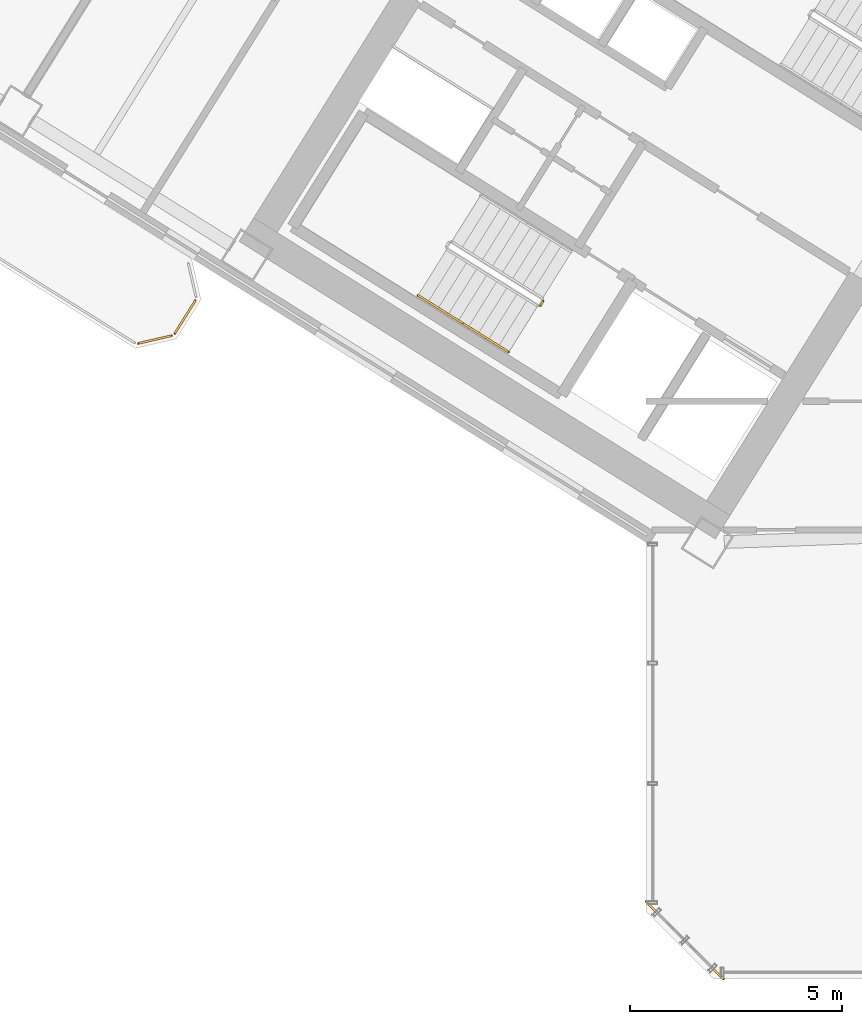
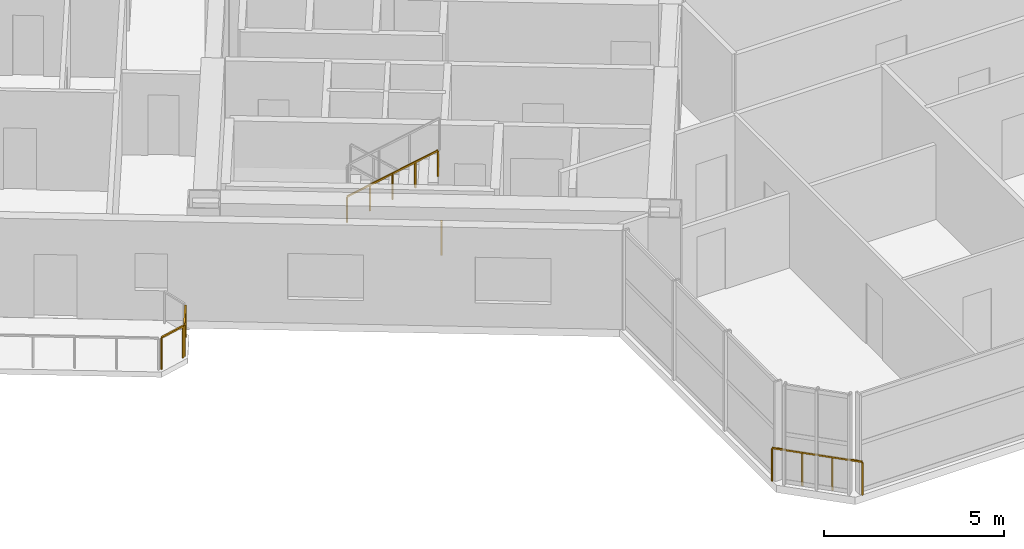
# One storey, part 17 of 21: 6 railings.
"""IFC4 building model written with IfcOpenShell, lengths in metres."""

from ifc_helpers import new_model, si_unit, direction, frame, origin, origin_2d, place, context, subcontext, project, spatial, rectangle, extrude, source, transform, mapped, material, type_object, element, save


model = new_model("IFC4")

# Units and contexts
model_context = context("Model", 3, precision=1e-05, world=origin(), true_north=direction((0.0, 1.0)))
body_context = subcontext(model_context, "Body", "Model", "MODEL_VIEW")
ifc_project = project(units=[si_unit("LENGTHUNIT", "METRE"), si_unit("AREAUNIT", "SQUARE_METRE"), si_unit("VOLUMEUNIT", "CUBIC_METRE"), si_unit("PLANEANGLEUNIT", "RADIAN"), si_unit("MASSUNIT", "GRAM", prefix="KILO")], contexts=[model_context])

# Site, building, storey
site_placement = place(None, origin())
site = spatial("IfcSite", under=ifc_project, at=site_placement, CompositionType="ELEMENT")
building_placement = place(site_placement, origin())
building = spatial("IfcBuilding", under=site, at=building_placement, Name="Tlacorven Tower", CompositionType="ELEMENT")
storey_placement = place(building_placement, frame((0.0, 0.0, 90.0)))
storey = spatial("IfcBuildingStorey", under=building, at=storey_placement, Name="L22", CompositionType="ELEMENT", Elevation=90.0)

# Railings
ifc_material = material(Name="Aluminium and painted steel balustrade", Category="steel")
railing_type_1 = type_object("IfcRailingType", Name="RL-BAL-1100", PredefinedType="BALUSTRADE", material=ifc_material)
shared_shape_1 = source(origin(), body_context, "Body", "SweptSolid", [
    extrude(rectangle(XDim=0.048095703125, YDim=0.048095703125, at=origin_2d()), frame((0.0, 0.0, 1.076171875), z_axis=(-0.52987865805, -0.848073468364, 0.0), x_axis=(0.848073468364, -0.52987865805, 0.0)), (0.0, 0.0, 1.0), 0.912353515625),
    extrude(rectangle(XDim=0.0419921875, YDim=0.0419921875, at=origin_2d()), origin(), (0.0, 0.0, 1.0), 1.052001953125),
    extrude(rectangle(XDim=0.0419921875, YDim=0.0419921875, at=origin_2d()), frame((-0.4833984375, -0.773681640625, 0.0)), (0.0, 0.0, 1.0), 1.052001953125),
])
railing_1_placement = place(storey_placement, frame((20.976318359375, 17.793701171875, 0.0)))
element("IfcRailing", 1, at=railing_1_placement, inside=storey, type_object=railing_type_1, Name="BAL-L22-W-OUT Guard Railing 2", PredefinedType="BALUSTRADE", context=body_context, shape_type="MappedRepresentation", body=[
    mapped(shared_shape_1, transform((0.0, 0.0, 0.0), scale=1.0)),
])
shared_shape_2 = source(origin(), body_context, "Body", "SweptSolid", [
    extrude(rectangle(XDim=0.048095703125, YDim=0.048095703125, at=origin_2d()), frame((0.0, 0.0, 1.076171875), z_axis=(-0.974345290916, -0.225058334816, 0.0), x_axis=(0.225058334816, -0.974345290916, 0.0)), (0.0, 0.0, 1.0), 0.80712890625),
    extrude(rectangle(XDim=0.0419921875, YDim=0.0419921875, at=origin_2d()), origin(), (0.0, 0.0, 1.0), 1.052001953125),
    extrude(rectangle(XDim=0.0419921875, YDim=0.0419921875, at=origin_2d()), frame((-0.786376953125, -0.181640625, 0.0)), (0.0, 0.0, 1.0), 1.052001953125),
])
railing_2_placement = place(storey_placement, frame((20.417724609375, 16.966552734375, 0.0)))
element("IfcRailing", 2, at=railing_2_placement, inside=storey, type_object=railing_type_1, Name="BAL-L22-W-OUT Guard Railing 3", PredefinedType="BALUSTRADE", context=body_context, shape_type="MappedRepresentation", body=[
    mapped(shared_shape_2, transform((0.0, 0.0, 0.0), scale=1.0)),
])
railing_type_2 = type_object("IfcRailingType", Name="RL-GRD-1150", PredefinedType="GUARDRAIL", material=ifc_material)
shared_shape_3 = source(origin(), body_context, "Body", "SweptSolid", [
    extrude(rectangle(XDim=0.048095703125, YDim=0.048095703125, at=origin_2d()), frame((0.0, 0.0, 1.1259765625), z_axis=(-0.707106781187, 0.707106781187, 0.0), x_axis=(-0.707106781187, -0.707106781187, 0.0)), (0.0, 0.0, 1.0), 2.590087890625),
    extrude(rectangle(XDim=0.0419921875, YDim=0.0419921875, at=origin_2d()), origin(), (0.0, 0.0, 1.0), 1.101806640625),
    extrude(rectangle(XDim=0.0419921875, YDim=0.0419921875, at=origin_2d()), frame((-0.610595703125, 0.610595703125, 0.0)), (0.0, 0.0, 1.0), 1.101806640625),
    extrude(rectangle(XDim=0.0419921875, YDim=0.0419921875, at=origin_2d()), frame((-1.220947265625, 1.220947265625, 0.0)), (0.0, 0.0, 1.0), 1.101806640625),
    extrude(rectangle(XDim=0.0419921875, YDim=0.0419921875, at=origin_2d()), frame((-1.83154296875, 1.83154296875, 0.0)), (0.0, 0.0, 1.0), 1.101806640625),
])
railing_3_placement = place(storey_placement, frame((33.428955078125, 1.79736328125, 0.0)))
element("IfcRailing", 3, at=railing_3_placement, inside=storey, type_object=railing_type_2, Name="L22 Knuckle Glazed Sill Guard 1", PredefinedType="GUARDRAIL", context=body_context, shape_type="MappedRepresentation", body=[
    mapped(shared_shape_3, transform((0.0, 0.0, 0.0), scale=1.0)),
])
railing_type_3 = type_object("IfcRailingType", Name="RL-GRD-1100", PredefinedType="GUARDRAIL", material=ifc_material)
shared_shape_4 = source(origin(), body_context, "Body", "SweptSolid", [
    extrude(rectangle(XDim=0.048095703125, YDim=0.048095703125, at=origin_2d()), frame((0.0, 0.0, 1.076171875), z_axis=(-0.529084052582, -0.848569422795, 0.0), x_axis=(0.848569422795, -0.529084052582, 0.0)), (0.0, 0.0, 1.0), 0.119873046875),
    extrude(rectangle(XDim=0.0419921875, YDim=0.0419921875, at=origin_2d()), origin(), (0.0, 0.0, 1.0), 1.052001953125),
    extrude(rectangle(XDim=0.0419921875, YDim=0.0419921875, at=origin_2d()), frame((-0.0634765625, -0.101806640625, 0.0)), (0.0, 0.0, 1.0), 1.052001953125),
])
railing_4_placement = place(storey_placement, frame((29.176513671875, 17.782958984375, 0.0)))
element("IfcRailing", 4, at=railing_4_placement, inside=storey, type_object=railing_type_3, Name="L22 ST-W1 stair guard 4", PredefinedType="GUARDRAIL", context=body_context, shape_type="MappedRepresentation", body=[
    mapped(shared_shape_4, transform((0.0, 0.0, 0.0), scale=1.0)),
])
railing_type_4 = type_object("IfcRailingType", Name="RL-HND-0900", PredefinedType="HANDRAIL", material=ifc_material)
shared_shape_5 = source(origin(), body_context, "Body", "SweptSolid", [
    extrude(rectangle(XDim=0.048095703125, YDim=0.048095703125, at=origin_2d()), frame((0.0, 0.0, 0.8759765625), z_axis=(0.713359751793, -0.4457479829, 0.540764828981), x_axis=(0.529911857636, 0.848052724267, 0.0)), (0.0, 0.0, 1.0), 1.498046875),
    extrude(rectangle(XDim=0.0419921875, YDim=0.0419921875, at=origin_2d()), origin(), (0.0, 0.0, 1.0), 0.851806640625),
    extrude(rectangle(XDim=0.0419921875, YDim=0.0419921875, at=origin_2d()), frame((0.5341796875, -0.333984375, 0.405029296875)), (0.0, 0.0, 1.0), 0.851806640625),
    extrude(rectangle(XDim=0.0419921875, YDim=0.0419921875, at=origin_2d()), frame((1.068603515625, -0.667724609375, 0.81005859375)), (0.0, 0.0, 1.0), 0.851806640625),
])
railing_5_placement = place(storey_placement, frame((26.228759765625, 17.915283203125, 1.97998046875)))
element("IfcRailing", 5, at=railing_5_placement, inside=storey, type_object=railing_type_4, Name="L22 ST-W1 stair handrail 3", PredefinedType="HANDRAIL", context=body_context, shape_type="MappedRepresentation", body=[
    mapped(shared_shape_5, transform((0.0, 0.0, 0.0), scale=1.0)),
])
shared_shape_6 = source(origin(), body_context, "Body", "SweptSolid", [
    extrude(rectangle(XDim=0.048095703125, YDim=0.048095703125, at=origin_2d()), frame((0.0, 0.0, 0.8759765625), z_axis=(0.713279695859, -0.445799809912, 0.540827703579), x_axis=(0.529998940003, 0.847998304005, 0.0)), (0.0, 0.0, 1.0), 1.497802734375),
    extrude(rectangle(XDim=0.0419921875, YDim=0.0419921875, at=origin_2d()), origin(), (0.0, 0.0, 1.0), 0.851806640625),
    extrude(rectangle(XDim=0.0419921875, YDim=0.0419921875, at=origin_2d()), frame((0.5341796875, -0.333984375, 0.405029296875)), (0.0, 0.0, 1.0), 0.851806640625),
    extrude(rectangle(XDim=0.0419921875, YDim=0.0419921875, at=origin_2d()), frame((1.068359375, -0.667724609375, 0.81005859375)), (0.0, 0.0, 1.0), 0.851806640625),
])
railing_6_placement = place(storey_placement, frame((27.29736328125, 17.24755859375, 2.7900390625)))
element("IfcRailing", 6, at=railing_6_placement, inside=storey, type_object=railing_type_4, Name="L22 ST-W1 stair handrail 4", PredefinedType="HANDRAIL", context=body_context, shape_type="MappedRepresentation", body=[
    mapped(shared_shape_6, transform((0.0, 0.0, 0.0), scale=1.0)),
])

save(model, "model.ifc")
